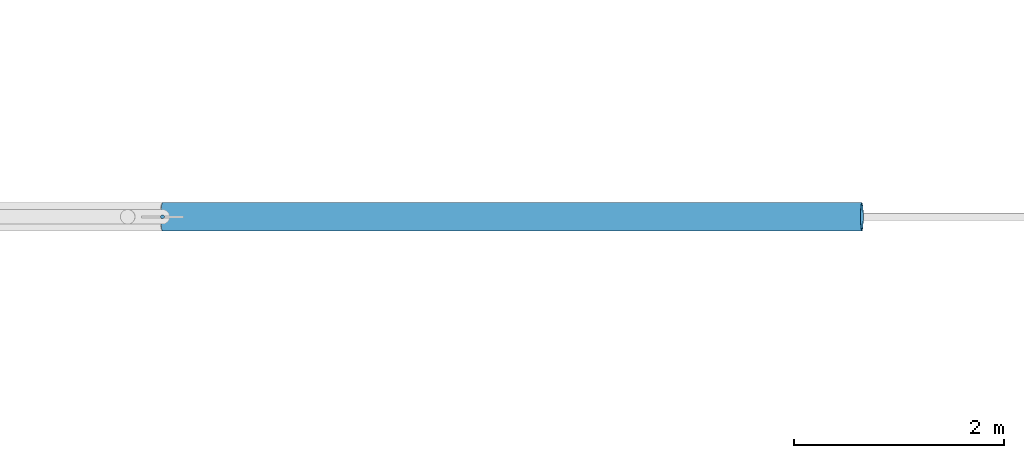
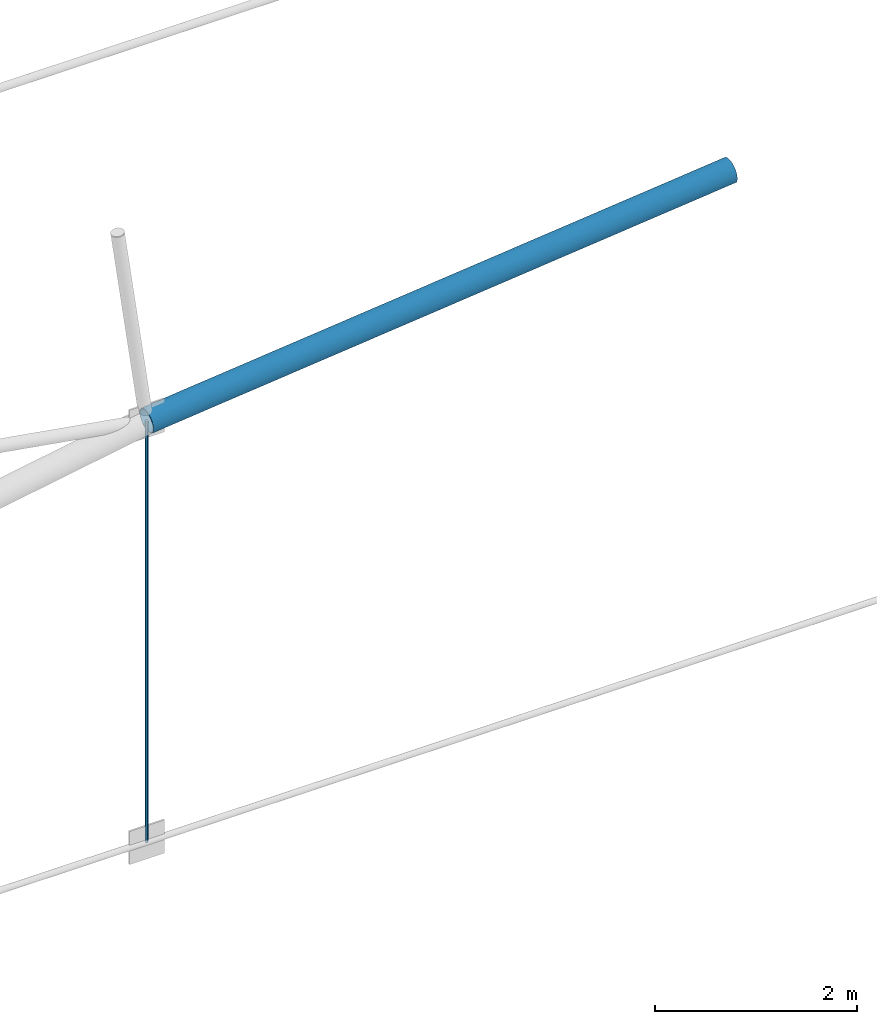
# One storey, part 158 of 321: 2 members.
"""IFC4 building model written with IfcOpenShell, lengths in metres."""

from ifc_helpers import new_model, si_unit, direction, frame, origin, origin_2d, place, context, subcontext, project, spatial, circle, hollow_circle, extrude, material, material_profile, profile_set, type_object, element, save


model = new_model("IFC4")

# Units and contexts
model_context = context("Model", 3, precision=1e-05, world=origin(), true_north=direction((0.0, 1.0)))
body_context = subcontext(model_context, "Body", "Model", "MODEL_VIEW")
ifc_project = project(units=[si_unit("LENGTHUNIT", "METRE"), si_unit("AREAUNIT", "SQUARE_METRE"), si_unit("VOLUMEUNIT", "CUBIC_METRE"), si_unit("PLANEANGLEUNIT", "RADIAN"), si_unit("MASSUNIT", "GRAM", prefix="KILO")], contexts=[model_context])

# Site, building, storey
site_placement = place(None, origin())
site = spatial("IfcSite", under=ifc_project, at=site_placement, CompositionType="ELEMENT")
building_placement = place(site_placement, origin())
building = spatial("IfcBuilding", under=site, at=building_placement, Name="Ravi Spectrum Wholesale Market", CompositionType="ELEMENT")
storey_placement = place(building_placement, frame((0.0, 0.0, 10.800048828125)))
storey = spatial("IfcBuildingStorey", under=building, at=storey_placement, Name="L02", CompositionType="ELEMENT", Elevation=10.800048828125)

# Members
ifc_material_1 = material(Name="Steel S355", Category="steel")
ifc_material_profile_1 = material_profile(ifc_material_1, hollow_circle(Radius=0.136474609375, WallThickness=0.010009765625, at=origin_2d()))
ifc_profile_set_1 = profile_set([ifc_material_profile_1], Name="Steel S355")
member_type_1 = type_object("IfcMemberType", Name="CHS 273x10 chord", PredefinedType="CHORD", material=ifc_profile_set_1)
member_1_placement = place(storey_placement, frame((56.648193359375, 162.0, 5.1025390625), z_axis=(0.994646786479, 0.0, 0.103333296414), x_axis=(0.0, 1.0, 0.0)))
element("IfcMember", 1, at=member_1_placement, inside=storey, type_object=member_type_1, Name="H1-MB-L02-938", PredefinedType="CHORD", context=body_context, shape_type="SweptSolid", body=[
    extrude(hollow_circle(Radius=0.136474609375, WallThickness=0.010009765625, at=origin_2d()), origin(), (0.0, 0.0, 1.0), 6.69580078125),
])
ifc_material_2 = material(Name="Steel S355", Category="steel")
ifc_material_profile_2 = material_profile(ifc_material_2, circle(Radius=0.01806640625, at=origin_2d()))
ifc_profile_set_2 = profile_set([ifc_material_profile_2], Name="Steel S355")
member_type_2 = type_object("IfcMemberType", Name="ROD 36 hanger", PredefinedType="STRUT", material=ifc_profile_set_2)
member_2_placement = place(storey_placement, frame((56.648193359375, 162.0, 0.023193359375), z_axis=(0.0, 0.0, 1.0), x_axis=(1.0, 0.0, 0.0)))
element("IfcMember", 2, at=member_2_placement, inside=storey, type_object=member_type_2, Name="H1-MB-L02-969", PredefinedType="STRUT", context=body_context, shape_type="SweptSolid", body=[
    extrude(circle(Radius=0.01806640625, at=origin_2d()), origin(), (0.0, 0.0, 1.0), 5.079345703125),
])

save(model, "model.ifc")
